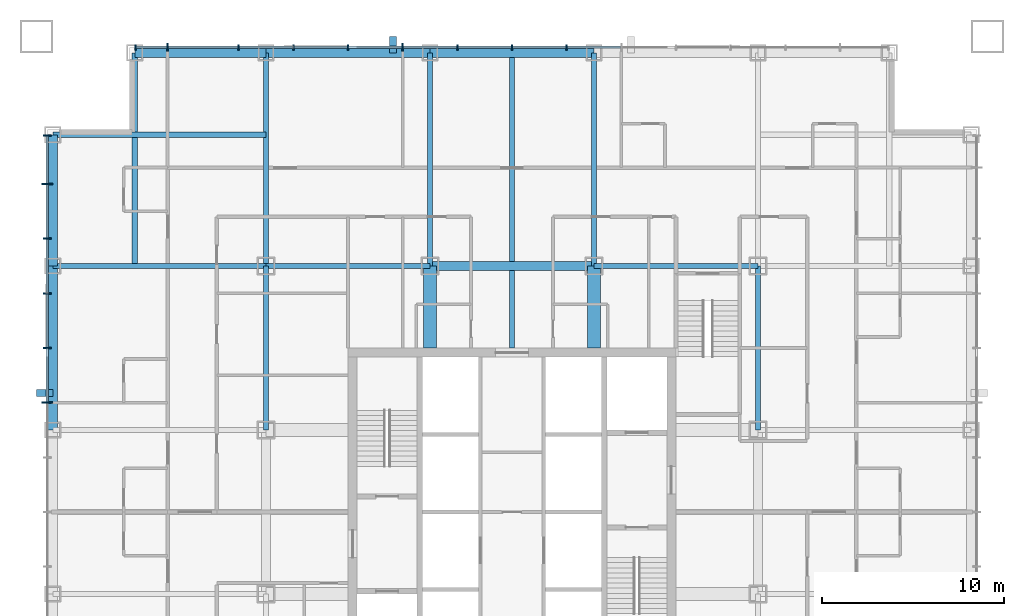
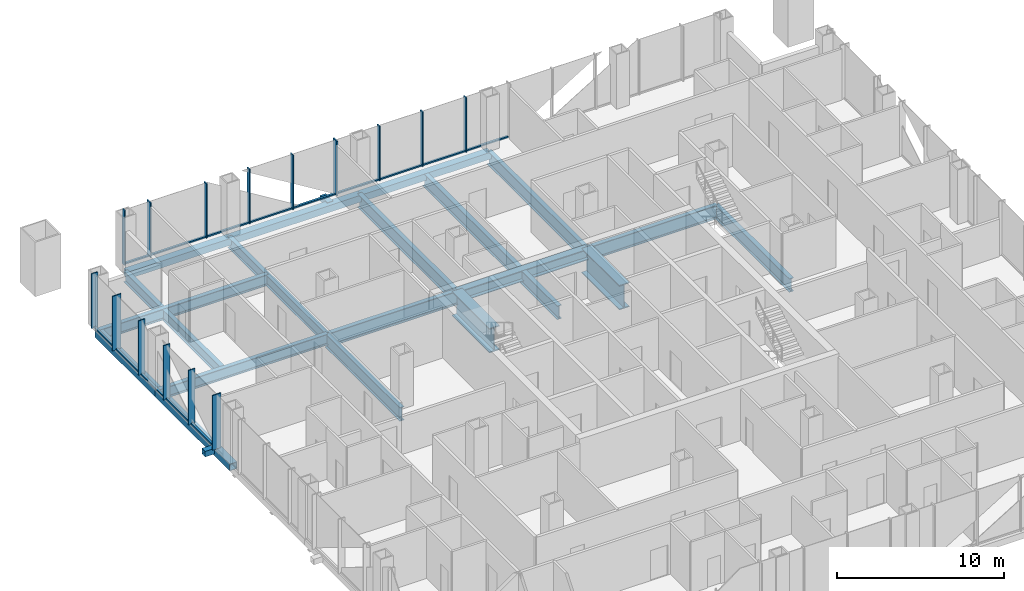
# One storey, part 4 of 17: 31 members, 19 beams, 2 elements without a shape of their own.
"""IFC4 building model written with IfcOpenShell, lengths in metres."""

import ifcopenshell
import ifcopenshell.guid

model = None  # the IFC model being written
_history = None  # IfcOwnerHistory: only IFC2X3 demands one
_inside = {}  # id of a spatial element -> (the spatial element, [elements in it])
_under = {}  # id of a project, library or spatial element -> (it, [spatial elements below it])
_declared = {}  # id of a project -> (the project, [libraries it declares])
_typed = {}  # id of a type object -> (the type object, [elements of that type])
_made_of = {}  # id of a material, layer set ... -> (it, [elements and type objects made of it])


def new_model(schema):
    """Start an empty IFC model of exactly this schema.

    Asked for "IFC4X3", IfcOpenShell would pick the latest addendum, in which some entities
    have other attributes; the version numbers below select the first issue.
    IFC2X3 requires an IfcOwnerHistory on every rooted entity: one is made here for all.
    """
    global model, _history
    if schema == "IFC4X3":
        model = ifcopenshell.file(schema_version=(4, 3, 0, 0))
    else:
        model = ifcopenshell.file(schema=schema)
    _inside.clear()
    _under.clear()
    _declared.clear()
    _typed.clear()
    _made_of.clear()
    _history = None
    if model.schema == "IFC2X3":
        org = make("IfcOrganization", Name="unknown")
        user = make(
            "IfcPersonAndOrganization",
            ThePerson=make("IfcPerson", FamilyName="unknown"),
            TheOrganization=org,
        )
        app = make(
            "IfcApplication",
            ApplicationDeveloper=org,
            Version="unknown",
            ApplicationFullName="unknown",
            ApplicationIdentifier="unknown",
        )
        _history = make(
            "IfcOwnerHistory",
            OwningUser=user,
            OwningApplication=app,
            ChangeAction="ADDED",
            CreationDate=0,
        )
    return model


def make(cls, **values):
    """One entity of the class cls with the attributes given. An attribute that is None is left unset."""
    return model.create_entity(
        cls, **{name: value for name, value in values.items() if value is not None}
    )


def rooted(cls, **values):
    """An entity with a GlobalId (a new one), such as an element, a storey or a relation."""
    return make(cls, GlobalId=ifcopenshell.guid.new(), OwnerHistory=_history, **values)


def si_unit(unit_type, name, prefix=None):
    """IfcSIUnit, for example si_unit("LENGTHUNIT", "METRE", prefix="MILLI")."""
    return make("IfcSIUnit", UnitType=unit_type, Prefix=prefix, Name=name)


def assignment(units):
    """IfcUnitAssignment: the units of a project."""
    return None if units is None else make("IfcUnitAssignment", Units=units)


def point(xyz):
    """IfcCartesianPoint."""
    return None if xyz is None else make("IfcCartesianPoint", Coordinates=xyz)


def direction(xyz):
    """IfcDirection."""
    return None if xyz is None else make("IfcDirection", DirectionRatios=xyz)


def frame(location, z_axis=None, x_axis=None):
    """IfcAxis2Placement3D, a coordinate frame: its origin and axes. An axis left out is left unset."""
    return make(
        "IfcAxis2Placement3D",
        Location=point(location),
        Axis=direction(z_axis),
        RefDirection=direction(x_axis),
    )


def frame_2d(location, x_axis=None):
    """IfcAxis2Placement2D, a coordinate frame in the plane: its origin and x axis."""
    return make(
        "IfcAxis2Placement2D", Location=point(location), RefDirection=direction(x_axis)
    )


def origin():
    """The frame at (0, 0, 0) with its axes left unset."""
    return frame((0.0, 0.0, 0.0))


def origin_2d():
    """The frame at (0, 0) in the plane with its x axis left unset."""
    return frame_2d((0.0, 0.0))


def place(relative_to, where):
    """IfcLocalPlacement: puts the frame where relative to a parent placement (None: the world)."""
    return make(
        "IfcLocalPlacement", PlacementRelTo=relative_to, RelativePlacement=where
    )


def context(
    kind, dimensions, precision=None, world=None, true_north=None, identifier=None
):
    """IfcGeometricRepresentationContext, for example the 3D "Model" context."""
    return make(
        "IfcGeometricRepresentationContext",
        ContextIdentifier=identifier,
        ContextType=kind,
        CoordinateSpaceDimension=dimensions,
        Precision=precision,
        WorldCoordinateSystem=world,
        TrueNorth=true_north,
    )


def subcontext(parent, identifier, kind, view, scale=None):
    """IfcGeometricRepresentationSubContext, for example "Body" below "Model"."""
    return make(
        "IfcGeometricRepresentationSubContext",
        ContextIdentifier=identifier,
        ContextType=kind,
        ParentContext=parent,
        TargetScale=scale,
        TargetView=view,
    )


def project(units=None, contexts=None):
    """IfcProject with its units and contexts."""
    return rooted(
        "IfcProject",
        Name="project",
        RepresentationContexts=contexts,
        UnitsInContext=assignment(units),
    )


def spatial(cls, under=None, at=None, **own):
    """A site, building, storey or space (cls), placed at a placement, below another one or the project."""
    s = rooted(cls, ObjectPlacement=at, **own)
    if under is not None:
        _under.setdefault(under.id(), (under, []))[1].append(s)
    return s


def profile(cls, at=None, kind="AREA", **sizes):
    """A parametric profile (cls). Its sizes go by their IFC names, for example OverallWidth=200.0."""
    return make(cls, ProfileType=kind, Position=at, **sizes)


def rectangle(**sizes):
    """IfcRectangleProfileDef."""
    return profile("IfcRectangleProfileDef", **sizes)


def hollow_rectangle(**sizes):
    """IfcRectangleHollowProfileDef."""
    return profile("IfcRectangleHollowProfileDef", **sizes)


def i_section(**sizes):
    """IfcIShapeProfileDef."""
    return profile("IfcIShapeProfileDef", **sizes)


def extrude(swept, where, along, depth):
    """IfcExtrudedAreaSolid: the profile swept, set in the frame where, extruded along a direction by depth."""
    return make(
        "IfcExtrudedAreaSolid",
        SweptArea=swept,
        Position=where,
        ExtrudedDirection=direction(along),
        Depth=depth,
    )


def shape(context_of_items, identifier, shape_type, items):
    """IfcShapeRepresentation: the items that make up one representation, for example the "Body"."""
    return make(
        "IfcShapeRepresentation",
        ContextOfItems=context_of_items,
        RepresentationIdentifier=identifier,
        RepresentationType=shape_type,
        Items=items,
    )


def material(Name=None, Category=None):
    """IfcMaterial."""
    return make("IfcMaterial", Name=Name, Category=Category)


def layer(
    of_material, thickness, ventilated=None, Name=None, Category=None, Priority=None
):
    """IfcMaterialLayer: one layer of a wall or slab, of a material (None: an air gap)."""
    return make(
        "IfcMaterialLayer",
        Material=of_material,
        LayerThickness=thickness,
        IsVentilated=ventilated,
        Name=Name,
        Category=Category,
        Priority=Priority,
    )


def layer_set(layers, Name=None):
    """IfcMaterialLayerSet."""
    return make("IfcMaterialLayerSet", MaterialLayers=layers, LayerSetName=Name)


def material_profile(
    of_material, cross_section, Name=None, Category=None, Priority=None
):
    """IfcMaterialProfile: a cross section and its material."""
    return make(
        "IfcMaterialProfile",
        Name=Name,
        Material=of_material,
        Profile=cross_section,
        Priority=Priority,
        Category=Category,
    )


def profile_set(profiles, Name=None, composite=None):
    """IfcMaterialProfileSet."""
    return make(
        "IfcMaterialProfileSet",
        Name=Name,
        MaterialProfiles=profiles,
        CompositeProfile=composite,
    )


def made_of(thing, what):
    """Note that an element or type object is made of a material, layer set ...; save() writes the relation."""
    if what is not None:
        _made_of.setdefault(what.id(), (what, []))[1].append(thing)
    return thing


def type_object(cls, material=None, **own):
    """A type object (cls), such as IfcWallType, which elements share."""
    return made_of(rooted(cls, **own), material)


def element(
    cls,
    number,
    at=None,
    inside=None,
    cuts=None,
    type_object=None,
    material=None,
    context=None,
    identifier="Body",
    shape_type=None,
    held_by="IfcProductDefinitionShape",
    body=None,
    shapes=None,
    **own,
):
    """One element of the class cls, such as IfcWall. Its Tag is "e" and its number.

    at: its placement. inside: the storey or other place that contains it. cuts: it is an
    opening in that element (IfcRelVoidsElement). A single representation is given by context,
    identifier, shape_type and body (its items); several are given by shapes. held_by: the class
    of the entity that holds the representations. save() writes the other relations.
    """
    e = rooted(cls, Tag="e%d" % number, ObjectPlacement=at, **own)
    if body is not None:
        shapes = [shape(context, identifier, shape_type, body)]
    if shapes is not None:
        e.Representation = make(held_by, Representations=shapes)
    if inside is not None:
        _inside.setdefault(inside.id(), (inside, []))[1].append(e)
    if cuts is not None:
        rooted(
            "IfcRelVoidsElement", RelatingBuildingElement=cuts, RelatedOpeningElement=e
        )
    if type_object is not None:
        _typed.setdefault(type_object.id(), (type_object, []))[1].append(e)
    return made_of(e, material)


def aggregate(whole, parts):
    """IfcRelAggregates: a whole, such as a stair, and the parts it consists of."""
    return rooted("IfcRelAggregates", RelatingObject=whole, RelatedObjects=parts)


def save(model, path):
    """Write the relations noted so far, then the file.

    IfcRelAggregates (storeys below a building ...), IfcRelContainedInSpatialStructure (elements
    in a storey), IfcRelDefinesByType, IfcRelAssociatesMaterial and IfcRelDeclares: one each for
    every whole, place, type object, material and project.
    """
    for whole, parts in _under.values():
        aggregate(whole, parts)
    for where, things in _inside.values():
        rooted(
            "IfcRelContainedInSpatialStructure",
            RelatedElements=things,
            RelatingStructure=where,
        )
    for kind, things in _typed.values():
        rooted("IfcRelDefinesByType", RelatedObjects=things, RelatingType=kind)
    for what, things in _made_of.values():
        rooted("IfcRelAssociatesMaterial", RelatedObjects=things, RelatingMaterial=what)
    for by, libraries in _declared.values():
        rooted("IfcRelDeclares", RelatingContext=by, RelatedDefinitions=libraries)
    model.write(path)


model = new_model("IFC4")

# Units and contexts
model_context = context("Model", 3, precision=1e-05, world=origin(), true_north=direction((0.0, 1.0)))
body_context = subcontext(model_context, "Body", "Model", "MODEL_VIEW")
ifc_project = project(units=[si_unit("LENGTHUNIT", "METRE"), si_unit("AREAUNIT", "SQUARE_METRE"), si_unit("VOLUMEUNIT", "CUBIC_METRE"), si_unit("PLANEANGLEUNIT", "RADIAN"), si_unit("MASSUNIT", "GRAM", prefix="KILO")], contexts=[model_context])

# Site, building, storey
site_placement = place(None, origin())
site = spatial("IfcSite", under=ifc_project, at=site_placement, CompositionType="ELEMENT")
building_placement = place(site_placement, origin())
building = spatial("IfcBuilding", under=site, at=building_placement, Name="Malebo Sky Hospital", CompositionType="ELEMENT")
storey_placement = place(building_placement, frame((0.0, 0.0, 83.0)))
storey = spatial("IfcBuildingStorey", under=building, at=storey_placement, Name="L19", CompositionType="ELEMENT", Elevation=83.0)

# Curtain wall, members
ifc_material_1 = material(Name="Anodised aluminium, natural silver", Category="aluminium")
ifc_layer_1 = layer(ifc_material_1, 0.25)
ifc_layer_set_1 = layer_set([ifc_layer_1], Name="WARD CURTAIN WALL NORTH AND SOUTH")
curtain_wall_type_1 = type_object("IfcCurtainWallType", Name="WARD CURTAIN WALL NORTH AND SOUTH", PredefinedType="NOTDEFINED", material=ifc_layer_set_1)
curtain_wall_1_placement = place(storey_placement, origin())
curtain_wall_1 = element("IfcCurtainWall", 1, at=curtain_wall_1_placement, inside=storey, type_object=curtain_wall_type_1, Name="NS curtain wall N", PredefinedType="NOTDEFINED")
ifc_material_profile_1 = material_profile(ifc_material_1, rectangle(XDim=0.14990234375, YDim=0.10009765625, at=origin_2d()), Name="ALUMINIUM TRANSOM 150x100")
ifc_profile_set_1 = profile_set([ifc_material_profile_1], Name="Anodised aluminium, natural silver")
member_type_1 = type_object("IfcMemberType", Name="ALUMINIUM TRANSOM 150x100", PredefinedType="USERDEFINED", material=ifc_profile_set_1)
member_1_placement = place(storey_placement, frame((39.375, 87.5, 0.050048828125), z_axis=(1.0, 0.0, 0.0), x_axis=(0.0, 1.0, 0.0)))
member_1 = element("IfcMember", 2, at=member_1_placement, type_object=member_type_1, Name="Transom 1", ObjectType="TRANSOM", PredefinedType="USERDEFINED", context=body_context, shape_type="SweptSolid", body=[
    extrude(rectangle(XDim=0.14990234375, YDim=0.10009765625, at=origin_2d()), origin(), (0.0, 0.0, 1.0), 1.6875),
])
member_2_placement = place(storey_placement, frame((41.137451171875, 87.5, 0.050048828125), z_axis=(1.0, 0.0, 0.0), x_axis=(0.0, 1.0, 0.0)))
member_2 = element("IfcMember", 3, at=member_2_placement, type_object=member_type_1, Name="Transom 2", ObjectType="TRANSOM", PredefinedType="USERDEFINED", context=body_context, shape_type="SweptSolid", body=[
    extrude(rectangle(XDim=0.14990234375, YDim=0.10009765625, at=origin_2d()), origin(), (0.0, 0.0, 1.0), 3.824951171875),
])
member_3_placement = place(storey_placement, frame((45.03759765625, 87.5, 0.050048828125), z_axis=(1.0, 0.0, 0.0), x_axis=(0.0, 1.0, 0.0)))
member_3 = element("IfcMember", 4, at=member_3_placement, type_object=member_type_1, Name="Transom 3", ObjectType="TRANSOM", PredefinedType="USERDEFINED", context=body_context, shape_type="SweptSolid", body=[
    extrude(rectangle(XDim=0.14990234375, YDim=0.10009765625, at=origin_2d()), origin(), (0.0, 0.0, 1.0), 2.9248046875),
])
member_4_placement = place(storey_placement, frame((48.03759765625, 87.5, 0.050048828125), z_axis=(1.0, 0.0, 0.0), x_axis=(0.0, 1.0, 0.0)))
member_4 = element("IfcMember", 5, at=member_4_placement, type_object=member_type_1, Name="Transom 4", ObjectType="TRANSOM", PredefinedType="USERDEFINED", context=body_context, shape_type="SweptSolid", body=[
    extrude(rectangle(XDim=0.14990234375, YDim=0.10009765625, at=origin_2d()), origin(), (0.0, 0.0, 1.0), 2.9248046875),
])
member_5_placement = place(storey_placement, frame((51.03759765625, 87.5, 0.050048828125), z_axis=(1.0, 0.0, 0.0), x_axis=(0.0, 1.0, 0.0)))
member_5 = element("IfcMember", 6, at=member_5_placement, type_object=member_type_1, Name="Transom 5", ObjectType="TRANSOM", PredefinedType="USERDEFINED", context=body_context, shape_type="SweptSolid", body=[
    extrude(rectangle(XDim=0.14990234375, YDim=0.10009765625, at=origin_2d()), origin(), (0.0, 0.0, 1.0), 2.9248046875),
])
member_6_placement = place(storey_placement, frame((54.03759765625, 87.5, 0.050048828125), z_axis=(1.0, 0.0, 0.0), x_axis=(0.0, 1.0, 0.0)))
member_6 = element("IfcMember", 7, at=member_6_placement, type_object=member_type_1, Name="Transom 6", ObjectType="TRANSOM", PredefinedType="USERDEFINED", context=body_context, shape_type="SweptSolid", body=[
    extrude(rectangle(XDim=0.14990234375, YDim=0.10009765625, at=origin_2d()), origin(), (0.0, 0.0, 1.0), 2.9248046875),
])
member_7_placement = place(storey_placement, frame((57.03759765625, 87.5, 0.050048828125), z_axis=(1.0, 0.0, 0.0), x_axis=(0.0, 1.0, 0.0)))
member_7 = element("IfcMember", 8, at=member_7_placement, type_object=member_type_1, Name="Transom 7", ObjectType="TRANSOM", PredefinedType="USERDEFINED", context=body_context, shape_type="SweptSolid", body=[
    extrude(rectangle(XDim=0.14990234375, YDim=0.10009765625, at=origin_2d()), origin(), (0.0, 0.0, 1.0), 2.9248046875),
])
member_8_placement = place(storey_placement, frame((60.03759765625, 87.5, 0.050048828125), z_axis=(1.0, 0.0, 0.0), x_axis=(0.0, 1.0, 0.0)))
member_8 = element("IfcMember", 9, at=member_8_placement, type_object=member_type_1, Name="Transom 8", ObjectType="TRANSOM", PredefinedType="USERDEFINED", context=body_context, shape_type="SweptSolid", body=[
    extrude(rectangle(XDim=0.14990234375, YDim=0.10009765625, at=origin_2d()), origin(), (0.0, 0.0, 1.0), 2.9248046875),
])
member_9_placement = place(storey_placement, frame((63.03759765625, 87.5, 0.050048828125), z_axis=(1.0, 0.0, 0.0), x_axis=(0.0, 1.0, 0.0)))
member_9 = element("IfcMember", 10, at=member_9_placement, type_object=member_type_1, Name="Transom 9", ObjectType="TRANSOM", PredefinedType="USERDEFINED", context=body_context, shape_type="SweptSolid", body=[
    extrude(rectangle(XDim=0.14990234375, YDim=0.10009765625, at=origin_2d()), origin(), (0.0, 0.0, 1.0), 2.9248046875),
])

ifc_layer_2 = layer(ifc_material_1, 0.25)
ifc_layer_set_2 = layer_set([ifc_layer_2], Name="WARD CURTAIN WALL EAST AND WEST")
curtain_wall_type_2 = type_object("IfcCurtainWallType", Name="WARD CURTAIN WALL EAST AND WEST", PredefinedType="NOTDEFINED", material=ifc_layer_set_2)
curtain_wall_2_placement = place(storey_placement, origin())
curtain_wall_2 = element("IfcCurtainWall", 11, at=curtain_wall_2_placement, inside=storey, type_object=curtain_wall_type_2, Name="EW curtain wall W", PredefinedType="NOTDEFINED")
member_10_placement = place(storey_placement, frame((34.5, 68.03759765625, 0.050048828125), z_axis=(0.0, 1.0, 0.0), x_axis=(-1.0, 0.0, 0.0)))
member_10 = element("IfcMember", 12, at=member_10_placement, type_object=member_type_1, Name="Transom 10", ObjectType="TRANSOM", PredefinedType="USERDEFINED", context=body_context, shape_type="SweptSolid", body=[
    extrude(rectangle(XDim=0.14990234375, YDim=0.10009765625, at=origin_2d()), origin(), (0.0, 0.0, 1.0), 2.9248046875),
])
member_11_placement = place(storey_placement, frame((34.5, 71.03759765625, 0.050048828125), z_axis=(0.0, 1.0, 0.0), x_axis=(-1.0, 0.0, 0.0)))
member_11 = element("IfcMember", 13, at=member_11_placement, type_object=member_type_1, Name="Transom 11", ObjectType="TRANSOM", PredefinedType="USERDEFINED", context=body_context, shape_type="SweptSolid", body=[
    extrude(rectangle(XDim=0.14990234375, YDim=0.10009765625, at=origin_2d()), origin(), (0.0, 0.0, 1.0), 2.9248046875),
])
member_12_placement = place(storey_placement, frame((34.5, 74.03759765625, 0.050048828125), z_axis=(0.0, 1.0, 0.0), x_axis=(-1.0, 0.0, 0.0)))
member_12 = element("IfcMember", 14, at=member_12_placement, type_object=member_type_1, Name="Transom 12", ObjectType="TRANSOM", PredefinedType="USERDEFINED", context=body_context, shape_type="SweptSolid", body=[
    extrude(rectangle(XDim=0.14990234375, YDim=0.10009765625, at=origin_2d()), origin(), (0.0, 0.0, 1.0), 2.9248046875),
])
member_13_placement = place(storey_placement, frame((34.5, 77.03759765625, 0.050048828125), z_axis=(0.0, 1.0, 0.0), x_axis=(-1.0, 0.0, 0.0)))
member_13 = element("IfcMember", 15, at=member_13_placement, type_object=member_type_1, Name="Transom 13", ObjectType="TRANSOM", PredefinedType="USERDEFINED", context=body_context, shape_type="SweptSolid", body=[
    extrude(rectangle(XDim=0.14990234375, YDim=0.10009765625, at=origin_2d()), origin(), (0.0, 0.0, 1.0), 2.9248046875),
])
member_14_placement = place(storey_placement, frame((34.5, 80.03759765625, 0.050048828125), z_axis=(0.0, 1.0, 0.0), x_axis=(-1.0, 0.0, 0.0)))
member_14 = element("IfcMember", 16, at=member_14_placement, type_object=member_type_1, Name="Transom 14", ObjectType="TRANSOM", PredefinedType="USERDEFINED", context=body_context, shape_type="SweptSolid", body=[
    extrude(rectangle(XDim=0.14990234375, YDim=0.10009765625, at=origin_2d()), origin(), (0.0, 0.0, 1.0), 2.58740234375),
])

# Members
ifc_material_2 = material(Name="Steel S355", Category="steel")
ifc_material_profile_2 = material_profile(ifc_material_2, hollow_rectangle(XDim=0.39990234375, YDim=0.39990234375, WallThickness=0.02001953125, at=origin_2d()), Name="SHS 400x20")
ifc_profile_set_2 = profile_set([ifc_material_profile_2], Name="Steel S355")
member_type_2 = type_object("IfcMemberType", Name="BRACE STRUT SHS 400x20", PredefinedType="STRUT", material=ifc_profile_set_2)
for number, where, z_axis, x_axis, name in (
    (17, (53.47509765625, 88.10009765625, -0.39990234375), (0.0, -1.0, 0.0), (1.0, 0.0, 0.0), "Brace strut AN1 L19"),
    (18, (33.89990234375, 68.52490234375, -0.39990234375), (1.0, 0.0, 0.0), (0.0, 1.0, 0.0), "Brace strut AW2 L19"),
):
    element("IfcMember", number, at=place(storey_placement, frame(where, z_axis=z_axis, x_axis=x_axis)), inside=storey, type_object=member_type_2, Name=name, PredefinedType="STRUT", context=body_context, shape_type="SweptSolid", body=[
        extrude(hollow_rectangle(XDim=0.39990234375, YDim=0.39990234375, WallThickness=0.02001953125, at=origin_2d()), origin(), (0.0, 0.0, 1.0), 0.900146484375),
    ])

# Member
ifc_material_profile_3 = material_profile(ifc_material_1, rectangle(XDim=0.074951171875, YDim=0.300048828125, at=origin_2d()), Name="CW1 ALUMINIUM FIN MULLION 75x300")
ifc_profile_set_3 = profile_set([ifc_material_profile_3], Name="Anodised aluminium, natural silver")
member_type_3 = type_object("IfcMemberType", Name="CW1 ALUMINIUM FIN MULLION 75x300", PredefinedType="MULLION", material=ifc_profile_set_3)
member_15_placement = place(storey_placement, frame((39.33740234375, 87.5, 0.0), z_axis=(0.0, 0.0, 1.0), x_axis=(1.0, 0.0, 0.0)))
member_15 = element("IfcMember", 19, at=member_15_placement, type_object=member_type_3, Name="Fin mullion 1", PredefinedType="MULLION", context=body_context, shape_type="SweptSolid", body=[
    extrude(rectangle(XDim=0.074951171875, YDim=0.300048828125, at=origin_2d()), origin(), (0.0, 0.0, 1.0), 4.0),
])

member_16_placement = place(storey_placement, frame((45.0, 87.5, 0.0), z_axis=(0.0, 0.0, 1.0), x_axis=(1.0, 0.0, 0.0)))
member_16 = element("IfcMember", 20, at=member_16_placement, type_object=member_type_3, Name="Fin mullion 3", PredefinedType="MULLION", context=body_context, shape_type="SweptSolid", body=[
    extrude(rectangle(XDim=0.074951171875, YDim=0.300048828125, at=origin_2d()), origin(), (0.0, 0.0, 1.0), 4.0),
])

member_17_placement = place(storey_placement, frame((48.0, 87.5, 0.0), z_axis=(0.0, 0.0, 1.0), x_axis=(1.0, 0.0, 0.0)))
member_17 = element("IfcMember", 21, at=member_17_placement, type_object=member_type_3, Name="Fin mullion 4", PredefinedType="MULLION", context=body_context, shape_type="SweptSolid", body=[
    extrude(rectangle(XDim=0.074951171875, YDim=0.300048828125, at=origin_2d()), origin(), (0.0, 0.0, 1.0), 4.0),
])

member_18_placement = place(storey_placement, frame((51.0, 87.5, 0.0), z_axis=(0.0, 0.0, 1.0), x_axis=(1.0, 0.0, 0.0)))
member_18 = element("IfcMember", 22, at=member_18_placement, type_object=member_type_3, Name="Fin mullion 5", PredefinedType="MULLION", context=body_context, shape_type="SweptSolid", body=[
    extrude(rectangle(XDim=0.074951171875, YDim=0.300048828125, at=origin_2d()), origin(), (0.0, 0.0, 1.0), 4.0),
])

member_19_placement = place(storey_placement, frame((57.0, 87.5, 0.0), z_axis=(0.0, 0.0, 1.0), x_axis=(1.0, 0.0, 0.0)))
member_19 = element("IfcMember", 23, at=member_19_placement, type_object=member_type_3, Name="Fin mullion 7", PredefinedType="MULLION", context=body_context, shape_type="SweptSolid", body=[
    extrude(rectangle(XDim=0.074951171875, YDim=0.300048828125, at=origin_2d()), origin(), (0.0, 0.0, 1.0), 4.0),
])

member_20_placement = place(storey_placement, frame((60.0, 87.5, 0.0), z_axis=(0.0, 0.0, 1.0), x_axis=(1.0, 0.0, 0.0)))
member_20 = element("IfcMember", 24, at=member_20_placement, type_object=member_type_3, Name="Fin mullion 8", PredefinedType="MULLION", context=body_context, shape_type="SweptSolid", body=[
    extrude(rectangle(XDim=0.074951171875, YDim=0.300048828125, at=origin_2d()), origin(), (0.0, 0.0, 1.0), 4.0),
])

member_21_placement = place(storey_placement, frame((63.0, 87.5, 0.0), z_axis=(0.0, 0.0, 1.0), x_axis=(1.0, 0.0, 0.0)))
member_21 = element("IfcMember", 25, at=member_21_placement, type_object=member_type_3, Name="Fin mullion 9", PredefinedType="MULLION", context=body_context, shape_type="SweptSolid", body=[
    extrude(rectangle(XDim=0.074951171875, YDim=0.300048828125, at=origin_2d()), origin(), (0.0, 0.0, 1.0), 4.0),
])

ifc_material_profile_4 = material_profile(ifc_material_1, rectangle(XDim=0.074951171875, YDim=0.449951171875, at=origin_2d()), Name="CW1 ALUMINIUM FIN MULLION 75x450")
ifc_profile_set_4 = profile_set([ifc_material_profile_4], Name="Anodised aluminium, natural silver")
member_type_4 = type_object("IfcMemberType", Name="CW1 ALUMINIUM FIN MULLION 75x450", PredefinedType="MULLION", material=ifc_profile_set_4)
member_22_placement = place(storey_placement, frame((41.10009765625, 87.5, 0.0), z_axis=(0.0, 0.0, 1.0), x_axis=(1.0, 0.0, 0.0)))
member_22 = element("IfcMember", 26, at=member_22_placement, type_object=member_type_4, Name="Fin mullion 2", PredefinedType="MULLION", context=body_context, shape_type="SweptSolid", body=[
    extrude(rectangle(XDim=0.074951171875, YDim=0.449951171875, at=origin_2d()), origin(), (0.0, 0.0, 1.0), 4.0),
])

member_23_placement = place(storey_placement, frame((54.0, 87.5, 0.0), z_axis=(0.0, 0.0, 1.0), x_axis=(1.0, 0.0, 0.0)))
member_23 = element("IfcMember", 27, at=member_23_placement, type_object=member_type_4, Name="Fin mullion 6", PredefinedType="MULLION", context=body_context, shape_type="SweptSolid", body=[
    extrude(rectangle(XDim=0.074951171875, YDim=0.449951171875, at=origin_2d()), origin(), (0.0, 0.0, 1.0), 4.0),
])

aggregate(curtain_wall_1, [member_15, member_22, member_16, member_17, member_18, member_23, member_19, member_20, member_21, member_1, member_2, member_3, member_4, member_5, member_6, member_7, member_8, member_9])

ifc_material_profile_5 = material_profile(ifc_material_1, rectangle(XDim=0.074951171875, YDim=0.449951171875, at=origin_2d()), Name="CW2 ALUMINIUM FIN MULLION 75x450")
ifc_profile_set_5 = profile_set([ifc_material_profile_5], Name="Anodised aluminium, natural silver")
member_type_5 = type_object("IfcMemberType", Name="CW2 ALUMINIUM FIN MULLION 75x450", PredefinedType="MULLION", material=ifc_profile_set_5)
member_24_placement = place(storey_placement, frame((34.5, 71.0, 0.0), z_axis=(0.0, 0.0, 1.0), x_axis=(0.0, 1.0, 0.0)))
member_24 = element("IfcMember", 28, at=member_24_placement, type_object=member_type_5, Name="Fin mullion 11", PredefinedType="MULLION", context=body_context, shape_type="SweptSolid", body=[
    extrude(rectangle(XDim=0.074951171875, YDim=0.449951171875, at=origin_2d()), origin(), (0.0, 0.0, 1.0), 4.0),
])

member_25_placement = place(storey_placement, frame((34.5, 74.0, 0.0), z_axis=(0.0, 0.0, 1.0), x_axis=(0.0, 1.0, 0.0)))
member_25 = element("IfcMember", 29, at=member_25_placement, type_object=member_type_5, Name="Fin mullion 12", PredefinedType="MULLION", context=body_context, shape_type="SweptSolid", body=[
    extrude(rectangle(XDim=0.074951171875, YDim=0.449951171875, at=origin_2d()), origin(), (0.0, 0.0, 1.0), 4.0),
])

member_26_placement = place(storey_placement, frame((34.5, 77.0, 0.0), z_axis=(0.0, 0.0, 1.0), x_axis=(0.0, 1.0, 0.0)))
member_26 = element("IfcMember", 30, at=member_26_placement, type_object=member_type_5, Name="Fin mullion 13", PredefinedType="MULLION", context=body_context, shape_type="SweptSolid", body=[
    extrude(rectangle(XDim=0.074951171875, YDim=0.449951171875, at=origin_2d()), origin(), (0.0, 0.0, 1.0), 4.0),
])

member_27_placement = place(storey_placement, frame((34.5, 82.66259765625, 0.0), z_axis=(0.0, 0.0, 1.0), x_axis=(0.0, 1.0, 0.0)))
member_27 = element("IfcMember", 31, at=member_27_placement, type_object=member_type_5, Name="Fin mullion 15", PredefinedType="MULLION", context=body_context, shape_type="SweptSolid", body=[
    extrude(rectangle(XDim=0.074951171875, YDim=0.449951171875, at=origin_2d()), origin(), (0.0, 0.0, 1.0), 4.0),
])

ifc_material_profile_6 = material_profile(ifc_material_1, rectangle(XDim=0.074951171875, YDim=0.60009765625, at=origin_2d()), Name="CW2 ALUMINIUM FIN MULLION 75x600")
ifc_profile_set_6 = profile_set([ifc_material_profile_6], Name="Anodised aluminium, natural silver")
member_type_6 = type_object("IfcMemberType", Name="CW2 ALUMINIUM FIN MULLION 75x600", PredefinedType="MULLION", material=ifc_profile_set_6)
member_28_placement = place(storey_placement, frame((34.5, 68.0, 0.0), z_axis=(0.0, 0.0, 1.0), x_axis=(0.0, 1.0, 0.0)))
member_28 = element("IfcMember", 32, at=member_28_placement, type_object=member_type_6, Name="Fin mullion 10", PredefinedType="MULLION", context=body_context, shape_type="SweptSolid", body=[
    extrude(rectangle(XDim=0.074951171875, YDim=0.60009765625, at=origin_2d()), origin(), (0.0, 0.0, 1.0), 4.0),
])

member_29_placement = place(storey_placement, frame((34.5, 80.0, 0.0), z_axis=(0.0, 0.0, 1.0), x_axis=(0.0, 1.0, 0.0)))
member_29 = element("IfcMember", 33, at=member_29_placement, type_object=member_type_6, Name="Fin mullion 14", PredefinedType="MULLION", context=body_context, shape_type="SweptSolid", body=[
    extrude(rectangle(XDim=0.074951171875, YDim=0.60009765625, at=origin_2d()), origin(), (0.0, 0.0, 1.0), 4.0),
])

aggregate(curtain_wall_2, [member_28, member_24, member_25, member_26, member_29, member_27, member_10, member_11, member_12, member_13, member_14])

# Beams
ifc_material_3 = material(Name="Steel S460", Category="steel")
ifc_material_profile_7 = material_profile(ifc_material_3, hollow_rectangle(XDim=0.5, YDim=0.5, WallThickness=0.030029296875, at=origin_2d()), Name="BOX 500x500x30")
ifc_profile_set_7 = profile_set([ifc_material_profile_7], Name="Steel S460")
beam_type_1 = type_object("IfcBeamType", Name="EDGE BEAM BOX 500x500x30", PredefinedType="BEAM", material=ifc_profile_set_7)
beam_1_placement = place(storey_placement, frame((34.800048828125, 66.5, -0.5), z_axis=(0.0, 1.0, 0.0), x_axis=(-1.0, 0.0, 0.0)))
element("IfcBeam", 34, at=beam_1_placement, inside=storey, type_object=beam_type_1, Name="Beam 003 L19", PredefinedType="BEAM", context=body_context, shape_type="SweptSolid", body=[
    extrude(hollow_rectangle(XDim=0.5, YDim=0.5, WallThickness=0.030029296875, at=origin_2d()), origin(), (0.0, 0.0, 1.0), 9.0),
])
for number, where, z_axis, x_axis, name in (
    (35, (34.800048828125, 75.5, -0.5), (0.0, 1.0, 0.0), (-1.0, 0.0, 0.0), "Beam 004 L19"),
    (36, (39.300048828125, 87.199951171875, -0.5), (1.0, 0.0, 0.0), (0.0, 1.0, 0.0), "Beam 063 L19"),
):
    element("IfcBeam", number, at=place(storey_placement, frame(where, z_axis=z_axis, x_axis=x_axis)), inside=storey, type_object=beam_type_1, Name=name, PredefinedType="BEAM", context=body_context, shape_type="SweptSolid", body=[
        extrude(hollow_rectangle(XDim=0.5, YDim=0.5, WallThickness=0.030029296875, at=origin_2d()), origin(), (0.0, 0.0, 1.0), 7.199951171875),
    ])
for number, where, z_axis, x_axis, name in (
    (37, (46.5, 87.199951171875, -0.5), (1.0, 0.0, 0.0), (0.0, 1.0, 0.0), "Beam 064 L19"),
    (38, (55.5, 87.199951171875, -0.5), (1.0, 0.0, 0.0), (0.0, 1.0, 0.0), "Beam 065 L19"),
):
    element("IfcBeam", number, at=place(storey_placement, frame(where, z_axis=z_axis, x_axis=x_axis)), inside=storey, type_object=beam_type_1, Name=name, PredefinedType="BEAM", context=body_context, shape_type="SweptSolid", body=[
        extrude(hollow_rectangle(XDim=0.5, YDim=0.5, WallThickness=0.030029296875, at=origin_2d()), origin(), (0.0, 0.0, 1.0), 9.0),
    ])
ifc_material_profile_8 = material_profile(ifc_material_2, i_section(OverallWidth=0.300048828125, OverallDepth=1.0, WebThickness=0.01904296875, FlangeThickness=0.035888671875, FilletRadius=0.030029296875, at=origin_2d()), Name="HEB 1000")
ifc_profile_set_8 = profile_set([ifc_material_profile_8], Name="Steel S355")
beam_type_2 = type_object("IfcBeamType", Name="FLOOR BEAM HEB 1000", PredefinedType="BEAM", material=ifc_profile_set_8)
beam_2_placement = place(storey_placement, frame((46.5, 66.5, -0.75), z_axis=(0.0, 1.0, 0.0), x_axis=(-1.0, 0.0, 0.0)))
element("IfcBeam", 39, at=beam_2_placement, inside=storey, type_object=beam_type_2, Name="Beam 010 L19", PredefinedType="BEAM", context=body_context, shape_type="SweptSolid", body=[
    extrude(i_section(OverallWidth=0.300048828125, OverallDepth=1.0, WebThickness=0.01904296875, FlangeThickness=0.035888671875, FilletRadius=0.030029296875, at=origin_2d()), origin(), (0.0, 0.0, 1.0), 9.0),
])
beam_3_placement = place(storey_placement, frame((55.5, 75.5, -0.75), z_axis=(0.0, 1.0, 0.0), x_axis=(-1.0, 0.0, 0.0)))
element("IfcBeam", 40, at=beam_3_placement, inside=storey, type_object=beam_type_2, Name="Beam 015 L19", PredefinedType="BEAM", context=body_context, shape_type="SweptSolid", body=[
    extrude(i_section(OverallWidth=0.300048828125, OverallDepth=1.0, WebThickness=0.01904296875, FlangeThickness=0.035888671875, FilletRadius=0.030029296875, at=origin_2d()), origin(), (0.0, 0.0, 1.0), 11.699951171875),
])
beam_4_placement = place(storey_placement, frame((60.0, 71.0, -0.75), z_axis=(0.0, 1.0, 0.0), x_axis=(-1.0, 0.0, 0.0)))
element("IfcBeam", 41, at=beam_4_placement, inside=storey, type_object=beam_type_2, Name="Beam 017 L19", PredefinedType="BEAM", context=body_context, shape_type="SweptSolid", body=[
    extrude(i_section(OverallWidth=0.300048828125, OverallDepth=1.0, WebThickness=0.01904296875, FlangeThickness=0.035888671875, FilletRadius=0.030029296875, at=origin_2d()), origin(), (0.0, 0.0, 1.0), 16.199951171875),
])
beam_5_placement = place(storey_placement, frame((64.5, 75.5, -0.75), z_axis=(0.0, 1.0, 0.0), x_axis=(-1.0, 0.0, 0.0)))
element("IfcBeam", 42, at=beam_5_placement, inside=storey, type_object=beam_type_2, Name="Beam 021 L19", PredefinedType="BEAM", context=body_context, shape_type="SweptSolid", body=[
    extrude(i_section(OverallWidth=0.300048828125, OverallDepth=1.0, WebThickness=0.01904296875, FlangeThickness=0.035888671875, FilletRadius=0.030029296875, at=origin_2d()), origin(), (0.0, 0.0, 1.0), 11.699951171875),
])
for number, where, z_axis, x_axis, name in (
    (43, (73.5, 66.5, -0.75), (0.0, 1.0, 0.0), (-1.0, 0.0, 0.0), "Beam 025 L19"),
    (44, (46.5, 75.5, -0.75), (1.0, 0.0, 0.0), (0.0, 1.0, 0.0), "Beam 057 L19"),
    (45, (64.5, 75.5, -0.75), (1.0, 0.0, 0.0), (0.0, 1.0, 0.0), "Beam 059 L19"),
):
    element("IfcBeam", number, at=place(storey_placement, frame(where, z_axis=z_axis, x_axis=x_axis)), inside=storey, type_object=beam_type_2, Name=name, PredefinedType="BEAM", context=body_context, shape_type="SweptSolid", body=[
        extrude(i_section(OverallWidth=0.300048828125, OverallDepth=1.0, WebThickness=0.01904296875, FlangeThickness=0.035888671875, FilletRadius=0.030029296875, at=origin_2d()), origin(), (0.0, 0.0, 1.0), 9.0),
    ])
ifc_material_profile_9 = material_profile(ifc_material_2, i_section(OverallWidth=0.300048828125, OverallDepth=0.800048828125, WebThickness=0.017578125, FlangeThickness=0.032958984375, FilletRadius=0.030029296875, at=origin_2d()), Name="HEB 800")
ifc_profile_set_9 = profile_set([ifc_material_profile_9], Name="Steel S355")
beam_type_3 = type_object("IfcBeamType", Name="FLOOR BEAM HEB 800", PredefinedType="BEAM", material=ifc_profile_set_9)
for number, where, z_axis, x_axis, name in (
    (46, (39.300048828125, 75.5, -0.64990234375), (0.0, 1.0, 0.0), (-1.0, 0.0, 0.0), "Beam 006 L19"),
    (47, (34.800048828125, 82.699951171875, -0.64990234375), (1.0, 0.0, 0.0), (0.0, 1.0, 0.0), "Beam 061 L19"),
):
    element("IfcBeam", number, at=place(storey_placement, frame(where, z_axis=z_axis, x_axis=x_axis)), inside=storey, type_object=beam_type_3, Name=name, PredefinedType="BEAM", context=body_context, shape_type="SweptSolid", body=[
        extrude(i_section(OverallWidth=0.300048828125, OverallDepth=0.800048828125, WebThickness=0.017578125, FlangeThickness=0.032958984375, FilletRadius=0.030029296875, at=origin_2d()), origin(), (0.0, 0.0, 1.0), 11.699951171875),
    ])
ifc_material_profile_10 = material_profile(ifc_material_2, i_section(OverallWidth=0.699951171875, OverallDepth=1.800048828125, WebThickness=0.034912109375, FlangeThickness=0.070068359375, at=origin_2d()), Name="PG 1800x700x35x70")
ifc_profile_set_10 = profile_set([ifc_material_profile_10], Name="Steel S355")
beam_type_4 = type_object("IfcBeamType", Name="FLOOR BEAM PG 1800x700x35x70", PredefinedType="BEAM", material=ifc_profile_set_10)
for number, where, z_axis, x_axis, name in (
    (48, (55.5, 71.0, -1.14990234375), (0.0, 1.0, 0.0), (-1.0, 0.0, 0.0), "Beam 014 L19"),
    (49, (64.5, 71.0, -1.14990234375), (0.0, 1.0, 0.0), (-1.0, 0.0, 0.0), "Beam 020 L19"),
):
    element("IfcBeam", number, at=place(storey_placement, frame(where, z_axis=z_axis, x_axis=x_axis)), inside=storey, type_object=beam_type_4, Name=name, PredefinedType="BEAM", context=body_context, shape_type="SweptSolid", body=[
        extrude(i_section(OverallWidth=0.699951171875, OverallDepth=1.800048828125, WebThickness=0.034912109375, FlangeThickness=0.070068359375, at=origin_2d()), origin(), (0.0, 0.0, 1.0), 4.5),
    ])
ifc_material_profile_11 = material_profile(ifc_material_2, i_section(OverallWidth=0.300048828125, OverallDepth=0.800048828125, WebThickness=0.017578125, FlangeThickness=0.032958984375, FilletRadius=0.030029296875, at=origin_2d()), Name="HEB 800")
ifc_profile_set_11 = profile_set([ifc_material_profile_11], Name="Steel S355")
beam_type_5 = type_object("IfcBeamType", Name="FLOOR GIRDER HEB 800", PredefinedType="BEAM", material=ifc_profile_set_11)
for number, where, z_axis, x_axis, name in (
    (50, (46.5, 75.5, -0.64990234375), (0.0, 1.0, 0.0), (-1.0, 0.0, 0.0), "Beam 011 L19"),
    (51, (34.800048828125, 75.5, -0.64990234375), (1.0, 0.0, 0.0), (0.0, 1.0, 0.0), "Beam 056 L19"),
):
    element("IfcBeam", number, at=place(storey_placement, frame(where, z_axis=z_axis, x_axis=x_axis)), inside=storey, type_object=beam_type_5, Name=name, PredefinedType="BEAM", context=body_context, shape_type="SweptSolid", body=[
        extrude(i_section(OverallWidth=0.300048828125, OverallDepth=0.800048828125, WebThickness=0.017578125, FlangeThickness=0.032958984375, FilletRadius=0.030029296875, at=origin_2d()), origin(), (0.0, 0.0, 1.0), 11.699951171875),
    ])
ifc_material_profile_12 = material_profile(ifc_material_2, i_section(OverallWidth=0.5, OverallDepth=0.800048828125, WebThickness=0.030029296875, FlangeThickness=0.050048828125, at=origin_2d()), Name="PG 800x500x30x50")
ifc_profile_set_12 = profile_set([ifc_material_profile_12], Name="Steel S355")
beam_type_6 = type_object("IfcBeamType", Name="RING GIRDER PG 800x500x30x50", PredefinedType="BEAM", material=ifc_profile_set_12)
beam_6_placement = place(storey_placement, frame((55.5, 75.5, -0.64990234375), z_axis=(1.0, 0.0, 0.0), x_axis=(0.0, 1.0, 0.0)))
element("IfcBeam", 52, at=beam_6_placement, inside=storey, type_object=beam_type_6, Name="Beam 058 L19", PredefinedType="BEAM", context=body_context, shape_type="SweptSolid", body=[
    extrude(i_section(OverallWidth=0.5, OverallDepth=0.800048828125, WebThickness=0.030029296875, FlangeThickness=0.050048828125, at=origin_2d()), origin(), (0.0, 0.0, 1.0), 9.0),
])

save(model, "model.ifc")
